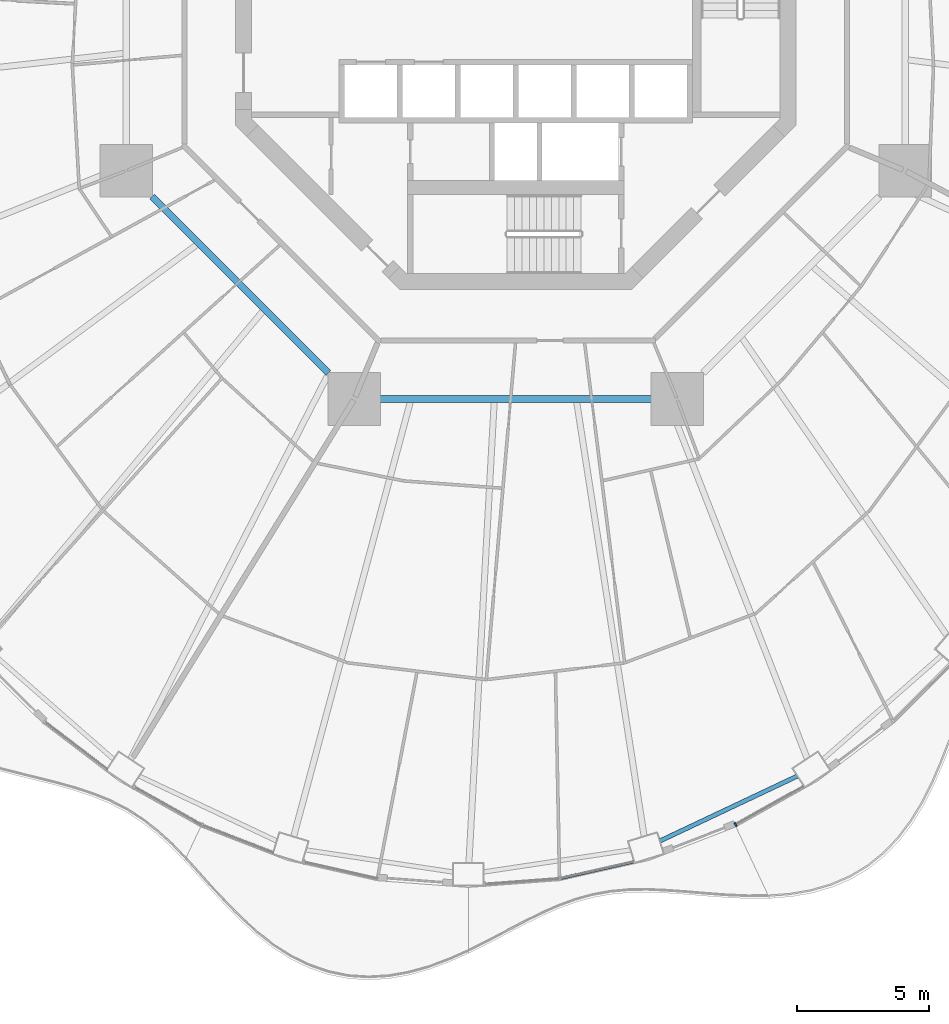
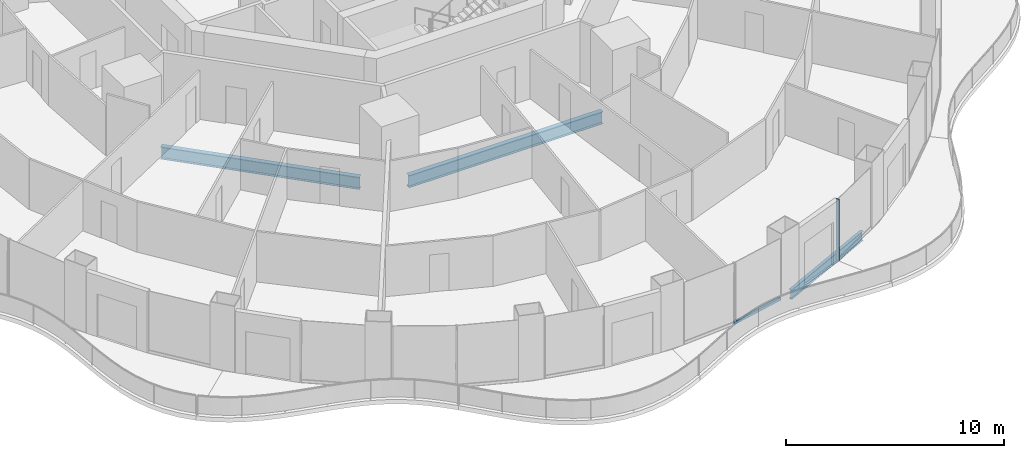
# One storey, part 4 of 20: 3 beams, 2 members, 2 elements without a shape of their own.
"""IFC4 building model written with IfcOpenShell, lengths in metres."""

from ifc_helpers import new_model, si_unit, direction, frame, origin, origin_2d, place, context, subcontext, project, spatial, rectangle, i_section, extrude, material, layer, layer_set, material_profile, profile_set, type_object, element, aggregate, save


model = new_model("IFC4")

# Units and contexts
model_context = context("Model", 3, precision=1e-05, world=origin(), true_north=direction((0.0, 1.0)))
body_context = subcontext(model_context, "Body", "Model", "MODEL_VIEW")
ifc_project = project(units=[si_unit("LENGTHUNIT", "METRE"), si_unit("AREAUNIT", "SQUARE_METRE"), si_unit("VOLUMEUNIT", "CUBIC_METRE"), si_unit("PLANEANGLEUNIT", "RADIAN"), si_unit("MASSUNIT", "GRAM", prefix="KILO")], contexts=[model_context])

# Site, building, storey
site_placement = place(None, origin())
site = spatial("IfcSite", under=ifc_project, at=site_placement, CompositionType="ELEMENT")
building_placement = place(site_placement, origin())
building = spatial("IfcBuilding", under=site, at=building_placement, Name="Nagisa Residences", CompositionType="ELEMENT")
storey_placement = place(building_placement, frame((0.0, 0.0, 141.800048828125)))
storey = spatial("IfcBuildingStorey", under=building, at=storey_placement, Name="L35", CompositionType="ELEMENT", Elevation=141.800048828125)

# Curtain wall, member
ifc_material_1 = material(Name="Concrete-coloured aluminium curtain wall system", Category="concrete")
ifc_layer = layer(ifc_material_1, 0.159912109375)
ifc_layer_set = layer_set([ifc_layer], Name="CW1 CURTAIN WALL")
curtain_wall_type = type_object("IfcCurtainWallType", Name="CW1 CURTAIN WALL", PredefinedType="NOTDEFINED", material=ifc_layer_set)
curtain_wall_1_placement = place(storey_placement, origin())
curtain_wall_1 = element("IfcCurtainWall", 1, at=curtain_wall_1_placement, inside=storey, type_object=curtain_wall_type, Name="cw:CW1:L35:39", PredefinedType="NOTDEFINED")
ifc_material_2 = material(Name="Concrete-coloured aluminium", Category="concrete")
ifc_material_profile_1 = material_profile(ifc_material_2, rectangle(XDim=0.159912109375, YDim=0.06005859375, at=origin_2d()), Name="CW1 MULLION 160x60")
ifc_profile_set_1 = profile_set([ifc_material_profile_1], Name="Concrete-coloured aluminium")
member_type_1 = type_object("IfcMemberType", Name="CW1 MULLION 160x60", PredefinedType="MULLION", material=ifc_profile_set_1)
member_1_placement = place(storey_placement, frame((8.341552734375, -30.9296875, 0.0), z_axis=(0.0, 0.0, 1.0), x_axis=(-0.489376918501, 0.872072377523, 0.0)))
member_1 = element("IfcMember", 2, at=member_1_placement, type_object=member_type_1, Name="CW1 mullion", PredefinedType="MULLION", context=body_context, shape_type="SweptSolid", body=[
    extrude(rectangle(XDim=0.159912109375, YDim=0.06005859375, at=origin_2d()), origin(), (0.0, 0.0, 1.0), 3.43994140625),
])
aggregate(curtain_wall_1, [member_1])

curtain_wall_2_placement = place(storey_placement, origin())
curtain_wall_2 = element("IfcCurtainWall", 3, at=curtain_wall_2_placement, inside=storey, type_object=curtain_wall_type, Name="cw:CW1:L35:37", PredefinedType="NOTDEFINED")
ifc_material_3 = material(Name="Concrete-coloured aluminium", Category="concrete")
ifc_material_profile_2 = material_profile(ifc_material_3, rectangle(XDim=0.1201171875, YDim=0.14990234375, at=origin_2d()), Name="CW1 TRANSOM 120x150")
ifc_profile_set_2 = profile_set([ifc_material_profile_2], Name="Concrete-coloured aluminium")
member_type_2 = type_object("IfcMemberType", Name="CW1 TRANSOM 120x150", PredefinedType="USERDEFINED", material=ifc_profile_set_2)
member_2_placement = place(storey_placement, frame((1.645751953125, -32.976318359375, 0.074951171875), z_axis=(0.975320849653, 0.220792301117, 0.0), x_axis=(-0.220792301117, 0.975320849653, 0.0)))
member_2 = element("IfcMember", 4, at=member_2_placement, type_object=member_type_2, Name="CW1 transom", ObjectType="TRANSOM", PredefinedType="USERDEFINED", context=body_context, shape_type="SweptSolid", body=[
    extrude(rectangle(XDim=0.1201171875, YDim=0.14990234375, at=origin_2d()), origin(), (0.0, 0.0, 1.0), 2.890380859375),
])
aggregate(curtain_wall_2, [member_2])

# Beams
ifc_material_4 = material(Name="Steel ASTM A572 Gr 50", Category="steel")
ifc_material_profile_3 = material_profile(ifc_material_4, i_section(OverallWidth=0.25390625, OverallDepth=0.68408203125, WebThickness=0.012451171875, FlangeThickness=0.018798828125, at=origin_2d()), Name="W690x140")
ifc_profile_set_3 = profile_set([ifc_material_profile_3], Name="Steel ASTM A572 Gr 50")
beam_type_1 = type_object("IfcBeamType", Name="Inner ring beam W690x140", PredefinedType="BEAM", material=ifc_profile_set_3)
beam_1_placement = place(storey_placement, frame((-13.796142578125, -7.10888671875, -0.60205078125), z_axis=(0.707106781187, -0.707106781187, 0.0), x_axis=(0.707106781187, 0.707106781187, 0.0)))
element("IfcBeam", 5, at=beam_1_placement, inside=storey, type_object=beam_type_1, Name="beam:L35:ib5", PredefinedType="BEAM", context=body_context, shape_type="SweptSolid", body=[
    extrude(i_section(OverallWidth=0.25390625, OverallDepth=0.68408203125, WebThickness=0.012451171875, FlangeThickness=0.018798828125, at=origin_2d()), origin(), (0.0, 0.0, 1.0), 9.457275390625),
])
beam_2_placement = place(storey_placement, frame((-5.142822265625, -14.781982421875, -0.60205078125), z_axis=(1.0, 0.0, 0.0), x_axis=(0.0, 1.0, 0.0)))
element("IfcBeam", 6, at=beam_2_placement, inside=storey, type_object=beam_type_1, Name="beam:L35:ib6", PredefinedType="BEAM", context=body_context, shape_type="SweptSolid", body=[
    extrude(i_section(OverallWidth=0.25390625, OverallDepth=0.68408203125, WebThickness=0.012451171875, FlangeThickness=0.018798828125, at=origin_2d()), origin(), (0.0, 0.0, 1.0), 10.28564453125),
])
ifc_material_5 = material(Name="Steel ASTM A572 Gr 50", Category="steel")
ifc_material_profile_4 = material_profile(ifc_material_5, i_section(OverallWidth=0.166015625, OverallDepth=0.534912109375, WebThickness=0.01025390625, FlangeThickness=0.0166015625, at=origin_2d()), Name="W530x85")
ifc_profile_set_4 = profile_set([ifc_material_profile_4], Name="Steel ASTM A572 Gr 50")
beam_type_2 = type_object("IfcBeamType", Name="Perimeter ring beam W530x85", PredefinedType="BEAM", material=ifc_profile_set_4)
beam_3_placement = place(storey_placement, frame((5.468505859375, -31.55029296875, -0.527587890625), z_axis=(0.904186034847, 0.427138870143, 0.0), x_axis=(-0.427138870143, 0.904186034847, 0.0)))
element("IfcBeam", 7, at=beam_3_placement, inside=storey, type_object=beam_type_2, Name="beam:L35:pb20", PredefinedType="BEAM", context=body_context, shape_type="SweptSolid", body=[
    extrude(i_section(OverallWidth=0.166015625, OverallDepth=0.534912109375, WebThickness=0.01025390625, FlangeThickness=0.0166015625, at=origin_2d()), origin(), (0.0, 0.0, 1.0), 5.772216796875),
])

save(model, "model.ifc")
